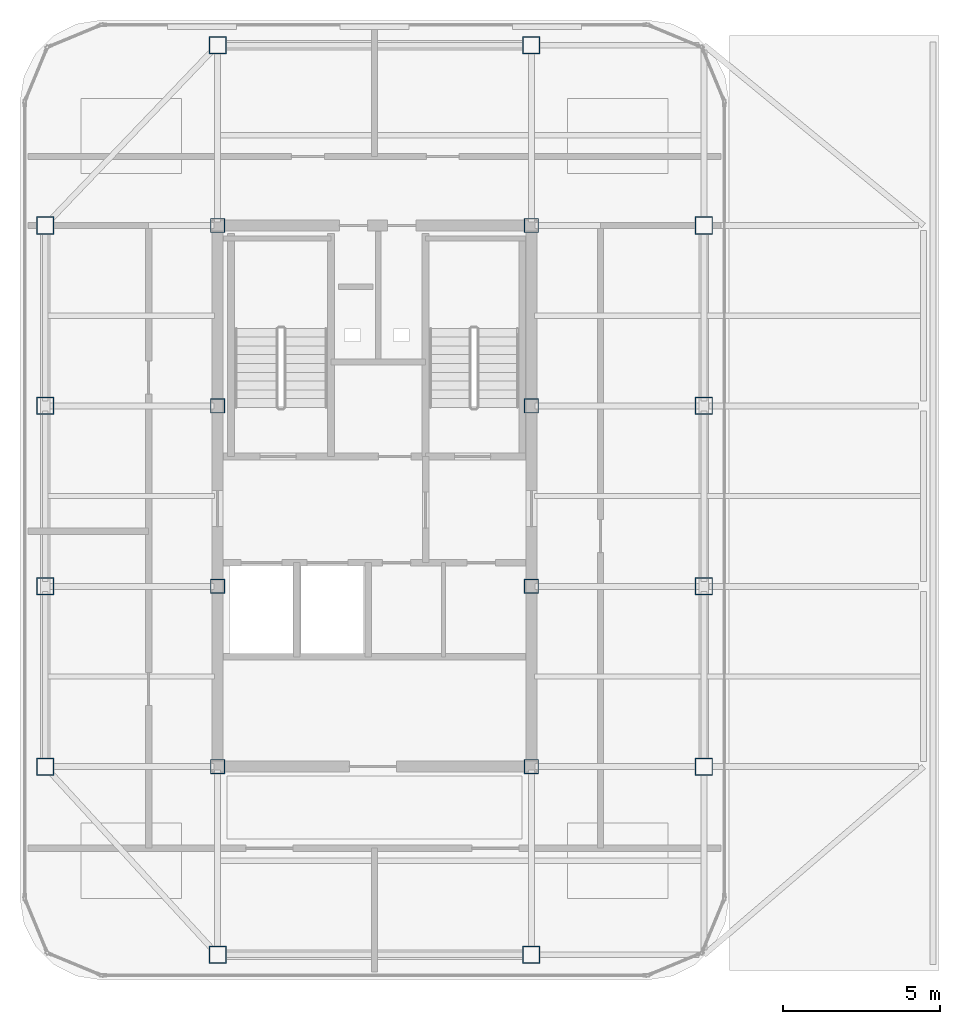
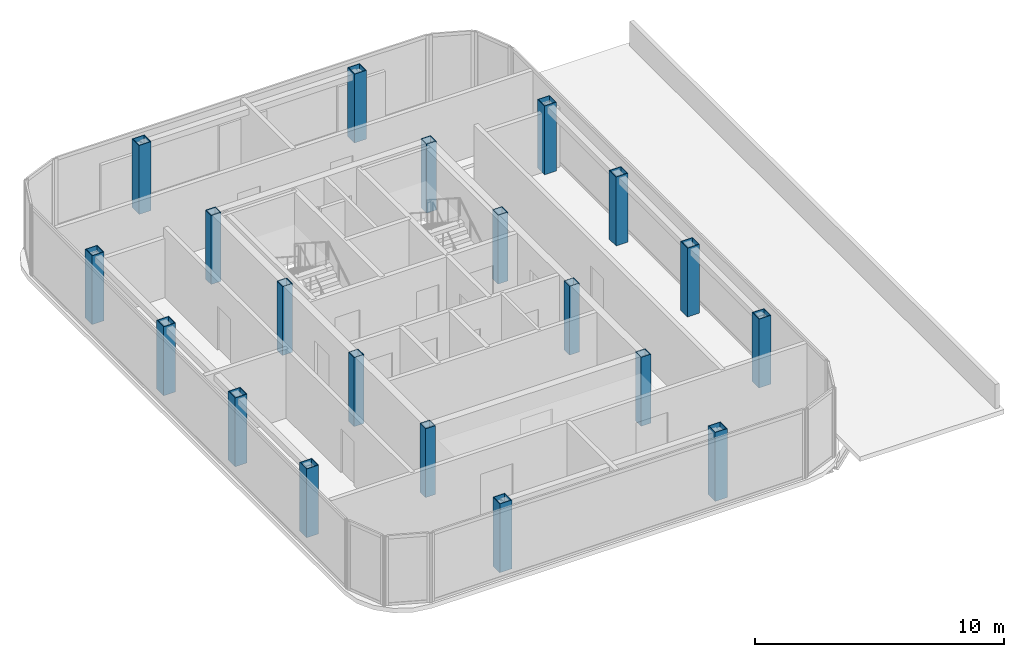
# One storey, part 1 of 11: 20 columns.
"""IFC4 building model written with IfcOpenShell, lengths in metres."""

import ifcopenshell
import ifcopenshell.guid

model = None  # the IFC model being written
_history = None  # IfcOwnerHistory: only IFC2X3 demands one
_inside = {}  # id of a spatial element -> (the spatial element, [elements in it])
_under = {}  # id of a project, library or spatial element -> (it, [spatial elements below it])
_declared = {}  # id of a project -> (the project, [libraries it declares])
_typed = {}  # id of a type object -> (the type object, [elements of that type])
_made_of = {}  # id of a material, layer set ... -> (it, [elements and type objects made of it])


def new_model(schema):
    """Start an empty IFC model of exactly this schema.

    Asked for "IFC4X3", IfcOpenShell would pick the latest addendum, in which some entities
    have other attributes; the version numbers below select the first issue.
    IFC2X3 requires an IfcOwnerHistory on every rooted entity: one is made here for all.
    """
    global model, _history
    if schema == "IFC4X3":
        model = ifcopenshell.file(schema_version=(4, 3, 0, 0))
    else:
        model = ifcopenshell.file(schema=schema)
    _inside.clear()
    _under.clear()
    _declared.clear()
    _typed.clear()
    _made_of.clear()
    _history = None
    if model.schema == "IFC2X3":
        org = make("IfcOrganization", Name="unknown")
        user = make(
            "IfcPersonAndOrganization",
            ThePerson=make("IfcPerson", FamilyName="unknown"),
            TheOrganization=org,
        )
        app = make(
            "IfcApplication",
            ApplicationDeveloper=org,
            Version="unknown",
            ApplicationFullName="unknown",
            ApplicationIdentifier="unknown",
        )
        _history = make(
            "IfcOwnerHistory",
            OwningUser=user,
            OwningApplication=app,
            ChangeAction="ADDED",
            CreationDate=0,
        )
    return model


def make(cls, **values):
    """One entity of the class cls with the attributes given. An attribute that is None is left unset."""
    return model.create_entity(
        cls, **{name: value for name, value in values.items() if value is not None}
    )


def rooted(cls, **values):
    """An entity with a GlobalId (a new one), such as an element, a storey or a relation."""
    return make(cls, GlobalId=ifcopenshell.guid.new(), OwnerHistory=_history, **values)


def si_unit(unit_type, name, prefix=None):
    """IfcSIUnit, for example si_unit("LENGTHUNIT", "METRE", prefix="MILLI")."""
    return make("IfcSIUnit", UnitType=unit_type, Prefix=prefix, Name=name)


def assignment(units):
    """IfcUnitAssignment: the units of a project."""
    return None if units is None else make("IfcUnitAssignment", Units=units)


def point(xyz):
    """IfcCartesianPoint."""
    return None if xyz is None else make("IfcCartesianPoint", Coordinates=xyz)


def direction(xyz):
    """IfcDirection."""
    return None if xyz is None else make("IfcDirection", DirectionRatios=xyz)


def frame(location, z_axis=None, x_axis=None):
    """IfcAxis2Placement3D, a coordinate frame: its origin and axes. An axis left out is left unset."""
    return make(
        "IfcAxis2Placement3D",
        Location=point(location),
        Axis=direction(z_axis),
        RefDirection=direction(x_axis),
    )


def frame_2d(location, x_axis=None):
    """IfcAxis2Placement2D, a coordinate frame in the plane: its origin and x axis."""
    return make(
        "IfcAxis2Placement2D", Location=point(location), RefDirection=direction(x_axis)
    )


def origin():
    """The frame at (0, 0, 0) with its axes left unset."""
    return frame((0.0, 0.0, 0.0))


def origin_2d():
    """The frame at (0, 0) in the plane with its x axis left unset."""
    return frame_2d((0.0, 0.0))


def place(relative_to, where):
    """IfcLocalPlacement: puts the frame where relative to a parent placement (None: the world)."""
    return make(
        "IfcLocalPlacement", PlacementRelTo=relative_to, RelativePlacement=where
    )


def context(
    kind, dimensions, precision=None, world=None, true_north=None, identifier=None
):
    """IfcGeometricRepresentationContext, for example the 3D "Model" context."""
    return make(
        "IfcGeometricRepresentationContext",
        ContextIdentifier=identifier,
        ContextType=kind,
        CoordinateSpaceDimension=dimensions,
        Precision=precision,
        WorldCoordinateSystem=world,
        TrueNorth=true_north,
    )


def subcontext(parent, identifier, kind, view, scale=None):
    """IfcGeometricRepresentationSubContext, for example "Body" below "Model"."""
    return make(
        "IfcGeometricRepresentationSubContext",
        ContextIdentifier=identifier,
        ContextType=kind,
        ParentContext=parent,
        TargetScale=scale,
        TargetView=view,
    )


def project(units=None, contexts=None):
    """IfcProject with its units and contexts."""
    return rooted(
        "IfcProject",
        Name="project",
        RepresentationContexts=contexts,
        UnitsInContext=assignment(units),
    )


def spatial(cls, under=None, at=None, **own):
    """A site, building, storey or space (cls), placed at a placement, below another one or the project."""
    s = rooted(cls, ObjectPlacement=at, **own)
    if under is not None:
        _under.setdefault(under.id(), (under, []))[1].append(s)
    return s


def profile(cls, at=None, kind="AREA", **sizes):
    """A parametric profile (cls). Its sizes go by their IFC names, for example OverallWidth=200.0."""
    return make(cls, ProfileType=kind, Position=at, **sizes)


def hollow_rectangle(**sizes):
    """IfcRectangleHollowProfileDef."""
    return profile("IfcRectangleHollowProfileDef", **sizes)


def extrude(swept, where, along, depth):
    """IfcExtrudedAreaSolid: the profile swept, set in the frame where, extruded along a direction by depth."""
    return make(
        "IfcExtrudedAreaSolid",
        SweptArea=swept,
        Position=where,
        ExtrudedDirection=direction(along),
        Depth=depth,
    )


def shape(context_of_items, identifier, shape_type, items):
    """IfcShapeRepresentation: the items that make up one representation, for example the "Body"."""
    return make(
        "IfcShapeRepresentation",
        ContextOfItems=context_of_items,
        RepresentationIdentifier=identifier,
        RepresentationType=shape_type,
        Items=items,
    )


def source(mapping_origin, context_of_items, identifier, shape_type, items):
    """IfcRepresentationMap: a shape defined once, which mapped items show again and again."""
    return make(
        "IfcRepresentationMap",
        MappingOrigin=mapping_origin,
        MappedRepresentation=shape(context_of_items, identifier, shape_type, items),
    )


def transform(
    local_origin,
    x_axis=None,
    y_axis=None,
    z_axis=None,
    scale=None,
    scale2=None,
    scale3=None,
    uniform=True,
):
    """IfcCartesianTransformationOperator3D, or its non-uniform kind. x_axis, y_axis, z_axis: its Axis1, 2, 3."""
    if uniform:
        return make(
            "IfcCartesianTransformationOperator3D",
            Axis1=direction(x_axis),
            Axis2=direction(y_axis),
            LocalOrigin=point(local_origin),
            Scale=scale,
            Axis3=direction(z_axis),
        )
    return make(
        "IfcCartesianTransformationOperator3DnonUniform",
        Axis1=direction(x_axis),
        Axis2=direction(y_axis),
        LocalOrigin=point(local_origin),
        Scale=scale,
        Axis3=direction(z_axis),
        Scale2=scale2,
        Scale3=scale3,
    )


def mapped(mapping_source, mapping_target):
    """IfcMappedItem: shows the shape of a source again, moved by a transform."""
    return make(
        "IfcMappedItem", MappingSource=mapping_source, MappingTarget=mapping_target
    )


def material(Name=None, Category=None):
    """IfcMaterial."""
    return make("IfcMaterial", Name=Name, Category=Category)


def material_profile(
    of_material, cross_section, Name=None, Category=None, Priority=None
):
    """IfcMaterialProfile: a cross section and its material."""
    return make(
        "IfcMaterialProfile",
        Name=Name,
        Material=of_material,
        Profile=cross_section,
        Priority=Priority,
        Category=Category,
    )


def profile_set(profiles, Name=None, composite=None):
    """IfcMaterialProfileSet."""
    return make(
        "IfcMaterialProfileSet",
        Name=Name,
        MaterialProfiles=profiles,
        CompositeProfile=composite,
    )


def made_of(thing, what):
    """Note that an element or type object is made of a material, layer set ...; save() writes the relation."""
    if what is not None:
        _made_of.setdefault(what.id(), (what, []))[1].append(thing)
    return thing


def type_object(cls, material=None, **own):
    """A type object (cls), such as IfcWallType, which elements share."""
    return made_of(rooted(cls, **own), material)


def element(
    cls,
    number,
    at=None,
    inside=None,
    cuts=None,
    type_object=None,
    material=None,
    context=None,
    identifier="Body",
    shape_type=None,
    held_by="IfcProductDefinitionShape",
    body=None,
    shapes=None,
    **own,
):
    """One element of the class cls, such as IfcWall. Its Tag is "e" and its number.

    at: its placement. inside: the storey or other place that contains it. cuts: it is an
    opening in that element (IfcRelVoidsElement). A single representation is given by context,
    identifier, shape_type and body (its items); several are given by shapes. held_by: the class
    of the entity that holds the representations. save() writes the other relations.
    """
    e = rooted(cls, Tag="e%d" % number, ObjectPlacement=at, **own)
    if body is not None:
        shapes = [shape(context, identifier, shape_type, body)]
    if shapes is not None:
        e.Representation = make(held_by, Representations=shapes)
    if inside is not None:
        _inside.setdefault(inside.id(), (inside, []))[1].append(e)
    if cuts is not None:
        rooted(
            "IfcRelVoidsElement", RelatingBuildingElement=cuts, RelatedOpeningElement=e
        )
    if type_object is not None:
        _typed.setdefault(type_object.id(), (type_object, []))[1].append(e)
    return made_of(e, material)


def aggregate(whole, parts):
    """IfcRelAggregates: a whole, such as a stair, and the parts it consists of."""
    return rooted("IfcRelAggregates", RelatingObject=whole, RelatedObjects=parts)


def save(model, path):
    """Write the relations noted so far, then the file.

    IfcRelAggregates (storeys below a building ...), IfcRelContainedInSpatialStructure (elements
    in a storey), IfcRelDefinesByType, IfcRelAssociatesMaterial and IfcRelDeclares: one each for
    every whole, place, type object, material and project.
    """
    for whole, parts in _under.values():
        aggregate(whole, parts)
    for where, things in _inside.values():
        rooted(
            "IfcRelContainedInSpatialStructure",
            RelatedElements=things,
            RelatingStructure=where,
        )
    for kind, things in _typed.values():
        rooted("IfcRelDefinesByType", RelatedObjects=things, RelatingType=kind)
    for what, things in _made_of.values():
        rooted("IfcRelAssociatesMaterial", RelatedObjects=things, RelatingMaterial=what)
    for by, libraries in _declared.values():
        rooted("IfcRelDeclares", RelatingContext=by, RelatedDefinitions=libraries)
    model.write(path)


model = new_model("IFC4")

# Units and contexts
model_context = context("Model", 3, precision=1e-05, world=origin(), true_north=direction((0.0, 1.0)))
body_context = subcontext(model_context, "Body", "Model", "MODEL_VIEW")
ifc_project = project(units=[si_unit("LENGTHUNIT", "METRE"), si_unit("AREAUNIT", "SQUARE_METRE"), si_unit("VOLUMEUNIT", "CUBIC_METRE"), si_unit("PLANEANGLEUNIT", "RADIAN"), si_unit("MASSUNIT", "GRAM", prefix="KILO")], contexts=[model_context])

# Site, building, storey
site_placement = place(None, origin())
site = spatial("IfcSite", under=ifc_project, at=site_placement, CompositionType="ELEMENT")
building_placement = place(site_placement, origin())
building = spatial("IfcBuilding", under=site, at=building_placement, Name="Kolveth Station Tower", CompositionType="ELEMENT")
storey_placement = place(building_placement, frame((0.0, 0.0, 285.699951171875)))
storey = spatial("IfcBuildingStorey", under=building, at=storey_placement, Name="L82", CompositionType="ELEMENT", Elevation=285.699951171875)

# Columns
ifc_material = material(Name="Steel S355", Category="steel")
ifc_material_profile_1 = material_profile(ifc_material, hollow_rectangle(XDim=0.56005859375, YDim=0.56005859375, WallThickness=0.030029296875, at=origin_2d()), Name="BOX560x560x30")
ifc_profile_set_1 = profile_set([ifc_material_profile_1], Name="Steel S355")
column_type_1 = type_object("IfcColumnType", Name="Col_C8", PredefinedType="COLUMN", material=ifc_profile_set_1)
shared_shape_1 = source(origin(), body_context, "Body", "SweptSolid", [
    extrude(hollow_rectangle(XDim=0.56005859375, YDim=0.56005859375, WallThickness=0.030029296875, at=origin_2d()), origin(), (0.0, 0.0, 1.0), 3.380126953125),
])
for number, where, z_axis, x_axis, name in (
    (1, (18.5, 5.5, 0.0), (0.0, 0.0, 1.0), (1.0, 0.0, 0.0), "L82 Tower Column S-X185"),
    (2, (18.5, 34.5, 0.0), (0.0, 0.0, 1.0), (1.0, 0.0, 0.0), "L82 Tower Column N-X185"),
    (3, (28.5, 5.5, 0.0), (0.0, 0.0, 1.0), (1.0, 0.0, 0.0), "L82 Tower Column S-X285"),
    (4, (28.5, 34.5, 0.0), (0.0, 0.0, 1.0), (1.0, 0.0, 0.0), "L82 Tower Column N-X285"),
    (5, (13.0, 11.5, 0.0), (0.0, 0.0, 1.0), (1.0, 0.0, 0.0), "L82 Tower Column W-Y115"),
    (6, (34.0, 11.5, 0.0), (0.0, 0.0, 1.0), (1.0, 0.0, 0.0), "L82 Tower Column E-Y115"),
    (7, (13.0, 17.25, 0.0), (0.0, 0.0, 1.0), (1.0, 0.0, 0.0), "L82 Tower Column W-Y172"),
    (8, (34.0, 17.25, 0.0), (0.0, 0.0, 1.0), (1.0, 0.0, 0.0), "L82 Tower Column E-Y172"),
    (9, (13.0, 23.0, 0.0), (0.0, 0.0, 1.0), (1.0, 0.0, 0.0), "L82 Tower Column W-Y230"),
    (10, (34.0, 23.0, 0.0), (0.0, 0.0, 1.0), (1.0, 0.0, 0.0), "L82 Tower Column E-Y230"),
    (11, (13.0, 28.75, 0.0), (0.0, 0.0, 1.0), (1.0, 0.0, 0.0), "L82 Tower Column W-Y287"),
    (12, (34.0, 28.75, 0.0), (0.0, 0.0, 1.0), (1.0, 0.0, 0.0), "L82 Tower Column E-Y287"),
):
    element("IfcColumn", number, at=place(storey_placement, frame(where, z_axis=z_axis, x_axis=x_axis)), inside=storey, type_object=column_type_1, Name=name, PredefinedType="COLUMN", context=body_context, shape_type="MappedRepresentation", body=[
        mapped(shared_shape_1, transform((0.0, 0.0, 0.0), x_axis=(1.0, 0.0, 0.0), y_axis=(0.0, 1.0, 0.0), z_axis=(0.0, 0.0, 1.0), scale=1.0)),
    ])
ifc_material_profile_2 = material_profile(ifc_material, hollow_rectangle(XDim=0.4599609375, YDim=0.4599609375, WallThickness=0.02490234375, at=origin_2d()), Name="BOX460x460x25")
ifc_profile_set_2 = profile_set([ifc_material_profile_2], Name="Steel S355")
column_type_2 = type_object("IfcColumnType", Name="Col_C9", PredefinedType="COLUMN", material=ifc_profile_set_2)
shared_shape_2 = source(origin(), body_context, "Body", "SweptSolid", [
    extrude(hollow_rectangle(XDim=0.4599609375, YDim=0.4599609375, WallThickness=0.02490234375, at=origin_2d()), origin(), (0.0, 0.0, 1.0), 3.380126953125),
])
for number, where, z_axis, x_axis, name in (
    (13, (18.5, 11.5, 0.0), (0.0, 0.0, 1.0), (1.0, 0.0, 0.0), "L82 Tower Column G-185-115"),
    (14, (18.5, 17.25, 0.0), (0.0, 0.0, 1.0), (1.0, 0.0, 0.0), "L82 Tower Column G-185-172"),
    (15, (18.5, 23.0, 0.0), (0.0, 0.0, 1.0), (1.0, 0.0, 0.0), "L82 Tower Column G-185-230"),
    (16, (18.5, 28.75, 0.0), (0.0, 0.0, 1.0), (1.0, 0.0, 0.0), "L82 Tower Column G-185-287"),
    (17, (28.5, 11.5, 0.0), (0.0, 0.0, 1.0), (1.0, 0.0, 0.0), "L82 Tower Column G-285-115"),
    (18, (28.5, 17.25, 0.0), (0.0, 0.0, 1.0), (1.0, 0.0, 0.0), "L82 Tower Column G-285-172"),
    (19, (28.5, 23.0, 0.0), (0.0, 0.0, 1.0), (1.0, 0.0, 0.0), "L82 Tower Column G-285-230"),
    (20, (28.5, 28.75, 0.0), (0.0, 0.0, 1.0), (1.0, 0.0, 0.0), "L82 Tower Column G-285-287"),
):
    element("IfcColumn", number, at=place(storey_placement, frame(where, z_axis=z_axis, x_axis=x_axis)), inside=storey, type_object=column_type_2, Name=name, PredefinedType="COLUMN", context=body_context, shape_type="MappedRepresentation", body=[
        mapped(shared_shape_2, transform((0.0, 0.0, 0.0), x_axis=(1.0, 0.0, 0.0), y_axis=(0.0, 1.0, 0.0), z_axis=(0.0, 0.0, 1.0), scale=1.0)),
    ])

save(model, "model.ifc")
